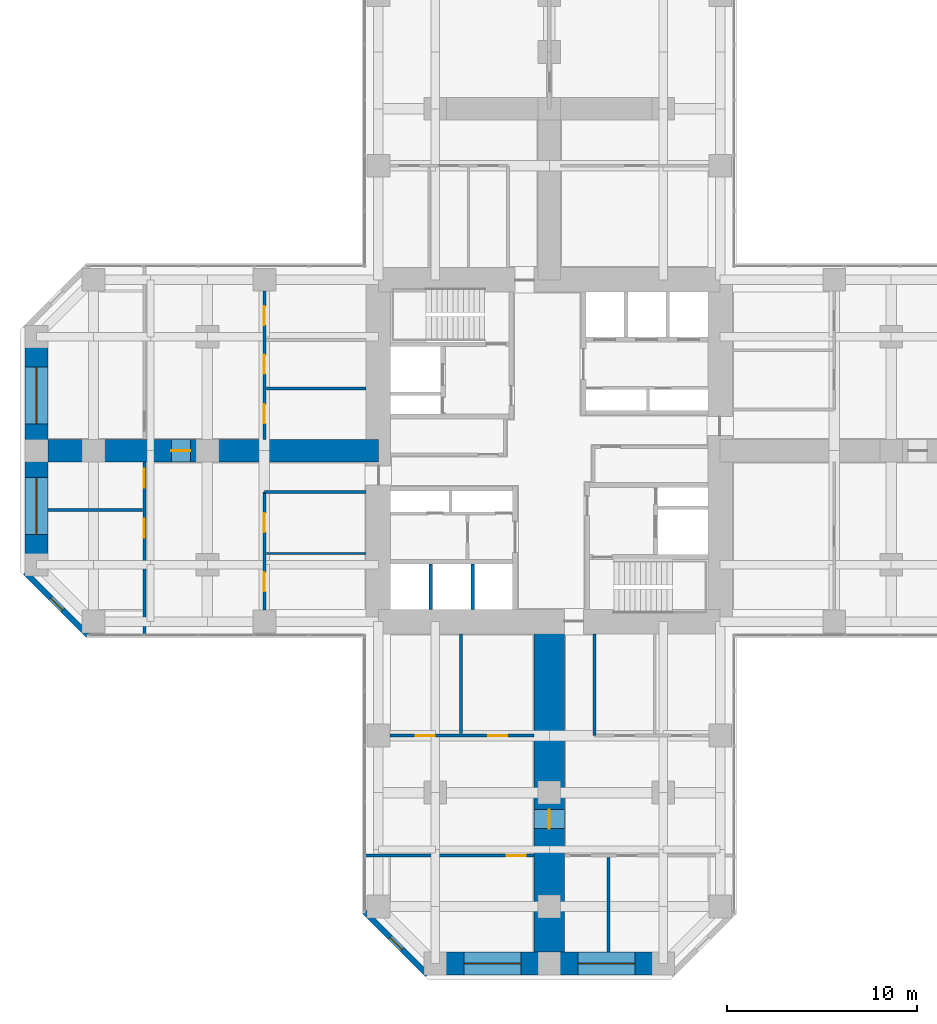
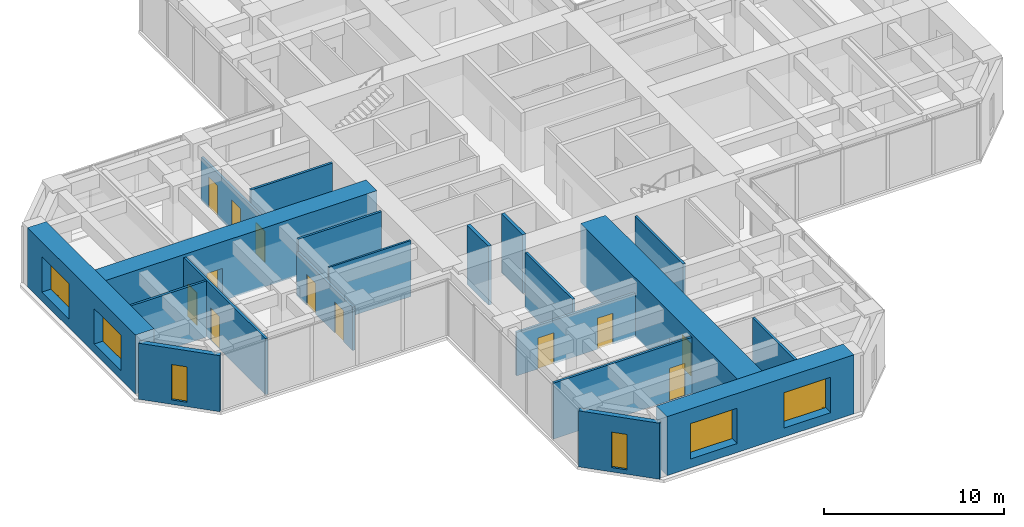
# One storey, part 8 of 13: 20 walls, 12 doors, 6 windows, 18 openings.
"""IFC4 building model written with IfcOpenShell, lengths in metres."""

from ifc_helpers import new_model, si_unit, direction, frame, frame_2d, origin, place, context, subcontext, project, spatial, rectangle, hollow_rectangle, extrude, material, layer, layer_set, constituent, constituent_set, type_object, element, fill, save


model = new_model("IFC4")

# Units and contexts
model_context = context("Model", 3, precision=1e-05, world=origin(), true_north=direction((0.0, 1.0)))
body_context = subcontext(model_context, "Body", "Model", "MODEL_VIEW")
ifc_project = project(units=[si_unit("LENGTHUNIT", "METRE"), si_unit("AREAUNIT", "SQUARE_METRE"), si_unit("VOLUMEUNIT", "CUBIC_METRE"), si_unit("PLANEANGLEUNIT", "RADIAN"), si_unit("MASSUNIT", "GRAM", prefix="KILO")], contexts=[model_context])

# Site, building, storey
site_placement = place(None, origin())
site = spatial("IfcSite", under=ifc_project, at=site_placement, CompositionType="ELEMENT")
building_placement = place(site_placement, origin())
building = spatial("IfcBuilding", under=site, at=building_placement, Name="Torre Cruceta", CompositionType="ELEMENT")
storey_placement = place(building_placement, frame((0.0, 0.0, 47.5)))
storey = spatial("IfcBuildingStorey", under=building, at=storey_placement, Name="L11", CompositionType="ELEMENT", Elevation=47.5)

# Wall, opening, window
ifc_material_1 = material(Name="Concrete G30 (fck 30 MPa)", Category="concrete")
ifc_layer_1 = layer(ifc_material_1, 0.300048828125)
ifc_layer_set_1 = layer_set([ifc_layer_1], Name="Concrete G30 (fck 30 MPa)")
wall_type_1 = type_object("IfcWallType", Name="EXPOSED CONCRETE FACADE WALL 300", PredefinedType="SOLIDWALL", material=ifc_layer_set_1)
wall_1_placement = place(storey_placement, frame((-27.60009765625, -6.418212890625, 0.0), z_axis=(0.0, 0.0, 1.0), x_axis=(0.707106781187, -0.707106781187, 0.0)))
wall_1 = element("IfcWall", 1, at=wall_1_placement, inside=storey, type_object=wall_type_1, Name="EW1 facade wall L11 W chamfer 13", PredefinedType="SOLIDWALL", context=body_context, shape_type="SweptSolid", body=[
    extrude(rectangle(XDim=4.66943359375, YDim=0.300048828125, at=frame_2d((2.334716796875, 0.0))), origin(), (0.0, 0.0, 1.0), 3.800048828125),
])
opening_1_placement = place(wall_1_placement, frame((1.884765625, 0.0, 0.300048828125)))
opening_1 = element("IfcOpeningElement", 2, at=opening_1_placement, cuts=wall_1, Name="Opening WN5", PredefinedType="OPENING", context=body_context, shape_type="SweptSolid", body=[
    extrude(rectangle(XDim=0.89990234375, YDim=2.39990234375, at=frame_2d((0.449951171875, 1.199951171875))), frame((0.0, 0.159912109375, 0.0), z_axis=(0.0, -1.0, 0.0), x_axis=(1.0, 0.0, 0.0)), (0.0, 0.0, 1.0), 0.320068359375),
])
ifc_material_2 = material(Name="Aluminium window frame", Category="aluminium")
ifc_constituent_1 = constituent(ifc_material_2, Name="Frame")
ifc_material_3 = material(Name="Laminated insulating glass unit, low-iron clear", Category="glass")
ifc_constituent_2 = constituent(ifc_material_3, Name="Glazing")
ifc_constituent_set_1 = constituent_set(constituents=[ifc_constituent_1, ifc_constituent_2], Name="Aluminium window")
window_type_1 = type_object("IfcWindowType", Name="CHAMFER SLOT WINDOW 900X2400", PartitioningType="SINGLE_PANEL", PredefinedType="WINDOW", material=ifc_constituent_set_1)
window_1_placement = place(opening_1_placement, origin())
window_1 = element("IfcWindow", 3, at=window_1_placement, inside=storey, type_object=window_type_1, Name="WN5 L11 W 1", OverallHeight=2.39990234375, OverallWidth=0.89990234375, PartitioningType="SINGLE_PANEL", PredefinedType="WINDOW", context=body_context, shape_type="SweptSolid", body=[
    extrude(hollow_rectangle(XDim=0.89990234375, YDim=2.39990234375, WallThickness=0.06005859375, at=frame_2d((0.449951171875, 1.199951171875))), frame((0.0, 0.030029296875, 0.0), z_axis=(0.0, -1.0, 0.0), x_axis=(1.0, 0.0, 0.0)), (0.0, 0.0, 1.0), 0.06005859375),
    extrude(rectangle(XDim=0.77880859375, YDim=2.27880859375, at=frame_2d((0.449951171875, 1.199951171875))), frame((0.0, 0.030029296875, 0.0), z_axis=(0.0, -1.0, 0.0), x_axis=(1.0, 0.0, 0.0)), (0.0, 0.0, 1.0), 0.06005859375),
])
fill(opening_1, window_1)

wall_2_placement = place(storey_placement, frame((-9.719970703125, -24.29833984375, 0.0), z_axis=(0.0, 0.0, 1.0), x_axis=(0.707106781187, -0.707106781187, 0.0)))
wall_2 = element("IfcWall", 4, at=wall_2_placement, inside=storey, type_object=wall_type_1, Name="EW1 facade wall L11 S chamfer 16", PredefinedType="SOLIDWALL", context=body_context, shape_type="SweptSolid", body=[
    extrude(rectangle(XDim=4.66943359375, YDim=0.300048828125, at=frame_2d((2.334716796875, 0.0))), origin(), (0.0, 0.0, 1.0), 3.800048828125),
])
opening_2_placement = place(wall_2_placement, frame((1.884765625, 0.0, 0.300048828125)))
opening_2 = element("IfcOpeningElement", 5, at=opening_2_placement, cuts=wall_2, Name="Opening WN5", PredefinedType="OPENING", context=body_context, shape_type="SweptSolid", body=[
    extrude(rectangle(XDim=0.89990234375, YDim=2.39990234375, at=frame_2d((0.449951171875, 1.199951171875))), frame((0.0, 0.159912109375, 0.0), z_axis=(0.0, -1.0, 0.0), x_axis=(1.0, 0.0, 0.0)), (0.0, 0.0, 1.0), 0.320068359375),
])
window_2_placement = place(opening_2_placement, origin())
window_2 = element("IfcWindow", 6, at=window_2_placement, inside=storey, type_object=window_type_1, Name="WN5 L11 S 1", OverallHeight=2.39990234375, OverallWidth=0.89990234375, PartitioningType="SINGLE_PANEL", PredefinedType="WINDOW", context=body_context, shape_type="SweptSolid", body=[
    extrude(hollow_rectangle(XDim=0.89990234375, YDim=2.39990234375, WallThickness=0.06005859375, at=frame_2d((0.449951171875, 1.199951171875))), frame((0.0, 0.030029296875, 0.0), z_axis=(0.0, -1.0, 0.0), x_axis=(1.0, 0.0, 0.0)), (0.0, 0.0, 1.0), 0.06005859375),
    extrude(rectangle(XDim=0.77880859375, YDim=2.27880859375, at=frame_2d((0.449951171875, 1.199951171875))), frame((0.0, 0.030029296875, 0.0), z_axis=(0.0, -1.0, 0.0), x_axis=(1.0, 0.0, 0.0)), (0.0, 0.0, 1.0), 0.06005859375),
])
fill(opening_2, window_2)

# Walls
ifc_material_4 = material(Name="Concrete G35 (fck 35 MPa)", Category="concrete")
ifc_layer_2 = layer(ifc_material_4, 0.199951171875)
ifc_layer_set_2 = layer_set([ifc_layer_2], Name="Concrete G35 (fck 35 MPa)")
wall_type_2 = type_object("IfcWallType", Name="LIFT SHAFT WALL 200", PredefinedType="PARTITIONING", material=ifc_layer_set_2)
for number, where, z_axis, x_axis, name in (
    (7, (-4.033447265625, -5.97509765625, 0.0), (0.0, 0.0, 1.0), (0.0, -1.0, 0.0), "SW1 L11 SW-LS1"),
    (8, (-6.24169921875, -5.97509765625, 0.0), (0.0, 0.0, 1.0), (0.0, -1.0, 0.0), "SW1 L11 SW-LS2"),
):
    element("IfcWall", number, at=place(storey_placement, frame(where, z_axis=z_axis, x_axis=x_axis)), inside=storey, type_object=wall_type_2, Name=name, PredefinedType="PARTITIONING", context=body_context, shape_type="SweptSolid", body=[
        extrude(rectangle(XDim=2.375, YDim=0.199951171875, at=frame_2d((1.1875, 0.0))), origin(), (0.0, 0.0, 1.0), 4.0),
    ])

# Wall, openings, windows
ifc_material_5 = material(Name="Concrete G60 (fck 60 MPa)", Category="concrete")
ifc_layer_3 = layer(ifc_material_5, 1.199951171875)
ifc_layer_set_3 = layer_set([ifc_layer_3], Name="Concrete G60 (fck 60 MPa)")
wall_type_3 = type_object("IfcWallType", Name="NOSE WALL 1200 G60", PredefinedType="SHEAR", material=ifc_layer_set_3)
wall_3_placement = place(storey_placement, frame((-6.0, -27.0, 0.0), z_axis=(0.0, 0.0, 1.0), x_axis=(1.0, 0.0, 0.0)))
wall_3 = element("IfcWall", 9, at=wall_3_placement, inside=storey, type_object=wall_type_3, Name="NW1 nose wall L11 S", PredefinedType="SHEAR", context=body_context, shape_type="SweptSolid", body=[
    extrude(rectangle(XDim=12.0, YDim=1.199951171875, at=frame_2d((6.0, 0.0))), origin(), (0.0, 0.0, 1.0), 4.0),
])
opening_3_placement = place(wall_3_placement, frame((1.5, 0.0, 0.60009765625)))
opening_3 = element("IfcOpeningElement", 10, at=opening_3_placement, cuts=wall_3, Name="Opening WN6", PredefinedType="OPENING", context=body_context, shape_type="SweptSolid", body=[
    extrude(rectangle(XDim=3.0, YDim=2.39990234375, at=frame_2d((1.5, 1.199951171875))), frame((0.0, 0.60986328125, 0.0), z_axis=(0.0, -1.0, 0.0), x_axis=(1.0, 0.0, 0.0)), (0.0, 0.0, 1.0), 1.219970703125),
])
opening_4_placement = place(wall_3_placement, frame((7.5, 0.0, 0.60009765625)))
opening_4 = element("IfcOpeningElement", 11, at=opening_4_placement, cuts=wall_3, Name="Opening WN6", PredefinedType="OPENING", context=body_context, shape_type="SweptSolid", body=[
    extrude(rectangle(XDim=3.0, YDim=2.39990234375, at=frame_2d((1.5, 1.199951171875))), frame((0.0, 0.60986328125, 0.0), z_axis=(0.0, -1.0, 0.0), x_axis=(1.0, 0.0, 0.0)), (0.0, 0.0, 1.0), 1.219970703125),
])
ifc_material_6 = material(Name="Aluminium window frame", Category="aluminium")
ifc_constituent_3 = constituent(ifc_material_6, Name="Frame")
ifc_material_7 = material(Name="Laminated insulating glass unit, low-iron clear", Category="glass")
ifc_constituent_4 = constituent(ifc_material_7, Name="Glazing")
ifc_constituent_set_2 = constituent_set(constituents=[ifc_constituent_3, ifc_constituent_4], Name="Aluminium window")
window_type_2 = type_object("IfcWindowType", Name="NOSE WALL WINDOW 3000X2400", PartitioningType="SINGLE_PANEL", PredefinedType="WINDOW", material=ifc_constituent_set_2)
window_3_placement = place(opening_3_placement, origin())
window_3 = element("IfcWindow", 12, at=window_3_placement, inside=storey, type_object=window_type_2, Name="WN6 L11 S 1", OverallHeight=2.39990234375, OverallWidth=3.0, PartitioningType="SINGLE_PANEL", PredefinedType="WINDOW", context=body_context, shape_type="SweptSolid", body=[
    extrude(hollow_rectangle(XDim=3.0, YDim=2.39990234375, WallThickness=0.06005859375, at=frame_2d((1.5, 1.199951171875))), frame((0.0, 0.030029296875, 0.0), z_axis=(0.0, -1.0, 0.0), x_axis=(1.0, 0.0, 0.0)), (0.0, 0.0, 1.0), 0.06005859375),
    extrude(rectangle(XDim=2.87890625, YDim=2.27880859375, at=frame_2d((1.5, 1.199951171875))), frame((0.0, 0.030029296875, 0.0), z_axis=(0.0, -1.0, 0.0), x_axis=(1.0, 0.0, 0.0)), (0.0, 0.0, 1.0), 0.06005859375),
])
fill(opening_3, window_3)
window_4_placement = place(opening_4_placement, origin())
window_4 = element("IfcWindow", 13, at=window_4_placement, inside=storey, type_object=window_type_2, Name="WN6 L11 S 2", OverallHeight=2.39990234375, OverallWidth=3.0, PartitioningType="SINGLE_PANEL", PredefinedType="WINDOW", context=body_context, shape_type="SweptSolid", body=[
    extrude(hollow_rectangle(XDim=3.0, YDim=2.39990234375, WallThickness=0.06005859375, at=frame_2d((1.5, 1.199951171875))), frame((0.0, 0.030029296875, 0.0), z_axis=(0.0, -1.0, 0.0), x_axis=(1.0, 0.0, 0.0)), (0.0, 0.0, 1.0), 0.06005859375),
    extrude(rectangle(XDim=2.87890625, YDim=2.27880859375, at=frame_2d((1.5, 1.199951171875))), frame((0.0, 0.030029296875, 0.0), z_axis=(0.0, -1.0, 0.0), x_axis=(1.0, 0.0, 0.0)), (0.0, 0.0, 1.0), 0.06005859375),
])
fill(opening_4, window_4)

wall_4_placement = place(storey_placement, frame((-27.0, 6.0, 0.0), z_axis=(0.0, 0.0, 1.0), x_axis=(0.0, -1.0, 0.0)))
wall_4 = element("IfcWall", 14, at=wall_4_placement, inside=storey, type_object=wall_type_3, Name="NW1 nose wall L11 W", PredefinedType="SHEAR", context=body_context, shape_type="SweptSolid", body=[
    extrude(rectangle(XDim=12.0, YDim=1.199951171875, at=frame_2d((6.0, 0.0))), origin(), (0.0, 0.0, 1.0), 4.0),
])
opening_5_placement = place(wall_4_placement, frame((1.60009765625, 0.0, 0.60009765625)))
opening_5 = element("IfcOpeningElement", 15, at=opening_5_placement, cuts=wall_4, Name="Opening WN6", PredefinedType="OPENING", context=body_context, shape_type="SweptSolid", body=[
    extrude(rectangle(XDim=3.0, YDim=2.39990234375, at=frame_2d((1.5, 1.199951171875))), frame((0.0, 0.60986328125, 0.0), z_axis=(0.0, -1.0, 0.0), x_axis=(1.0, 0.0, 0.0)), (0.0, 0.0, 1.0), 1.219970703125),
])
opening_6_placement = place(wall_4_placement, frame((7.39990234375, 0.0, 0.60009765625)))
opening_6 = element("IfcOpeningElement", 16, at=opening_6_placement, cuts=wall_4, Name="Opening WN6", PredefinedType="OPENING", context=body_context, shape_type="SweptSolid", body=[
    extrude(rectangle(XDim=3.0, YDim=2.39990234375, at=frame_2d((1.5, 1.199951171875))), frame((0.0, 0.60986328125, 0.0), z_axis=(0.0, -1.0, 0.0), x_axis=(1.0, 0.0, 0.0)), (0.0, 0.0, 1.0), 1.219970703125),
])
window_5_placement = place(opening_5_placement, origin())
window_5 = element("IfcWindow", 17, at=window_5_placement, inside=storey, type_object=window_type_2, Name="WN6 L11 W 1", OverallHeight=2.39990234375, OverallWidth=3.0, PartitioningType="SINGLE_PANEL", PredefinedType="WINDOW", context=body_context, shape_type="SweptSolid", body=[
    extrude(hollow_rectangle(XDim=3.0, YDim=2.39990234375, WallThickness=0.06005859375, at=frame_2d((1.5, 1.199951171875))), frame((0.0, 0.030029296875, 0.0), z_axis=(0.0, -1.0, 0.0), x_axis=(1.0, 0.0, 0.0)), (0.0, 0.0, 1.0), 0.06005859375),
    extrude(rectangle(XDim=2.87890625, YDim=2.27880859375, at=frame_2d((1.5, 1.199951171875))), frame((0.0, 0.030029296875, 0.0), z_axis=(0.0, -1.0, 0.0), x_axis=(1.0, 0.0, 0.0)), (0.0, 0.0, 1.0), 0.06005859375),
])
fill(opening_5, window_5)
window_6_placement = place(opening_6_placement, origin())
window_6 = element("IfcWindow", 18, at=window_6_placement, inside=storey, type_object=window_type_2, Name="WN6 L11 W 2", OverallHeight=2.39990234375, OverallWidth=3.0, PartitioningType="SINGLE_PANEL", PredefinedType="WINDOW", context=body_context, shape_type="SweptSolid", body=[
    extrude(hollow_rectangle(XDim=3.0, YDim=2.39990234375, WallThickness=0.06005859375, at=frame_2d((1.5, 1.199951171875))), frame((0.0, 0.030029296875, 0.0), z_axis=(0.0, -1.0, 0.0), x_axis=(1.0, 0.0, 0.0)), (0.0, 0.0, 1.0), 0.06005859375),
    extrude(rectangle(XDim=2.87890625, YDim=2.27880859375, at=frame_2d((1.5, 1.199951171875))), frame((0.0, 0.030029296875, 0.0), z_axis=(0.0, -1.0, 0.0), x_axis=(1.0, 0.0, 0.0)), (0.0, 0.0, 1.0), 0.06005859375),
])
fill(opening_6, window_6)

# Wall
ifc_material_8 = material(Name="Plasterboard on steel studs", Category="steel")
ifc_layer_4 = layer(ifc_material_8, 0.14990234375)
ifc_layer_set_4 = layer_set([ifc_layer_4], Name="Plasterboard on steel studs")
wall_type_4 = type_object("IfcWallType", Name="PARTITION 150", PredefinedType="PARTITIONING", material=ifc_layer_set_4)
wall_5_placement = place(storey_placement, frame((2.375, -9.64990234375, 0.0), z_axis=(0.0, 0.0, 1.0), x_axis=(0.0, -1.0, 0.0)))
element("IfcWall", 19, at=wall_5_placement, inside=storey, type_object=wall_type_4, Name="PT1 L11-S-BSL", PredefinedType="PARTITIONING", context=body_context, shape_type="SweptSolid", body=[
    extrude(rectangle(XDim=5.35009765625, YDim=0.14990234375, at=frame_2d((2.675048828125, 0.0))), origin(), (0.0, 0.0, 1.0), 3.800048828125),
])

# Wall, openings, doors
wall_6_placement = place(storey_placement, frame((-8.39990234375, -15.0, 0.0), z_axis=(0.0, 0.0, 1.0), x_axis=(1.0, 0.0, 0.0)))
wall_6 = element("IfcWall", 20, at=wall_6_placement, inside=storey, type_object=wall_type_4, Name="PT1 L11-S-BFR", PredefinedType="PARTITIONING", context=body_context, shape_type="SweptSolid", body=[
    extrude(rectangle(XDim=7.599853515625, YDim=0.14990234375, at=frame_2d((3.7998046875, 0.0))), origin(), (0.0, 0.0, 1.0), 2.949951171875),
])
opening_7_placement = place(wall_6_placement, frame((1.375, 0.0, 0.0)))
opening_7 = element("IfcOpeningElement", 21, at=opening_7_placement, cuts=wall_6, Name="Opening D3", PredefinedType="OPENING", context=body_context, shape_type="SweptSolid", body=[
    extrude(rectangle(XDim=1.0, YDim=2.10009765625, at=frame_2d((0.5, 1.050048828125))), frame((0.0, 0.0849609375, 0.0), z_axis=(0.0, -1.0, 0.0), x_axis=(1.0, 0.0, 0.0)), (0.0, 0.0, 1.0), 0.169921875),
])
opening_8_placement = place(wall_6_placement, frame((5.175048828125, 0.0, 0.0)))
opening_8 = element("IfcOpeningElement", 22, at=opening_8_placement, cuts=wall_6, Name="Opening D3", PredefinedType="OPENING", context=body_context, shape_type="SweptSolid", body=[
    extrude(rectangle(XDim=1.0, YDim=2.10009765625, at=frame_2d((0.5, 1.050048828125))), frame((0.0, 0.0849609375, 0.0), z_axis=(0.0, -1.0, 0.0), x_axis=(1.0, 0.0, 0.0)), (0.0, 0.0, 1.0), 0.169921875),
])
ifc_material_9 = material(Name="Steel DX51D", Category="steel")
ifc_constituent_5 = constituent(ifc_material_9, Name="Leaf and frame")
ifc_material_10 = material(Name="Polyester powder coating", Category="paint")
ifc_constituent_6 = constituent(ifc_material_10, Name="Finish")
ifc_constituent_set_3 = constituent_set(constituents=[ifc_constituent_5, ifc_constituent_6], Name="Steel fire door")
door_type_1 = type_object("IfcDoorType", Name="FIRE DOOR 1000X2100", OperationType="SINGLE_SWING_LEFT", PredefinedType="DOOR", material=ifc_constituent_set_3)
door_1_placement = place(opening_7_placement, origin())
door_1 = element("IfcDoor", 23, at=door_1_placement, inside=storey, type_object=door_type_1, Name="D3 L11-S-BFR-D1", OperationType="SINGLE_SWING_RIGHT", OverallHeight=2.10009765625, OverallWidth=1.0, PredefinedType="DOOR", context=body_context, shape_type="SweptSolid", body=[
    extrude(rectangle(XDim=1.0, YDim=2.10009765625, at=frame_2d((0.5, 1.050048828125))), frame((0.0, 0.02490234375, 0.0), z_axis=(0.0, -1.0, 0.0), x_axis=(1.0, 0.0, 0.0)), (0.0, 0.0, 1.0), 0.050048828125),
])
fill(opening_7, door_1)
door_2_placement = place(opening_8_placement, origin())
door_2 = element("IfcDoor", 24, at=door_2_placement, inside=storey, type_object=door_type_1, Name="D3 L11-S-BFR-D2", OperationType="SINGLE_SWING_LEFT", OverallHeight=2.10009765625, OverallWidth=1.0, PredefinedType="DOOR", context=body_context, shape_type="SweptSolid", body=[
    extrude(rectangle(XDim=1.0, YDim=2.10009765625, at=frame_2d((0.5, 1.050048828125))), frame((0.0, 0.02490234375, 0.0), z_axis=(0.0, -1.0, 0.0), x_axis=(1.0, 0.0, 0.0)), (0.0, 0.0, 1.0), 0.050048828125),
])
fill(opening_8, door_2)

# Walls
wall_7_placement = place(storey_placement, frame((-4.64990234375, -9.64990234375, 0.0), z_axis=(0.0, 0.0, 1.0), x_axis=(0.0, -1.0, 0.0)))
element("IfcWall", 25, at=wall_7_placement, inside=storey, type_object=wall_type_4, Name="PT1 L11-S-BDR1", PredefinedType="PARTITIONING", context=body_context, shape_type="SweptSolid", body=[
    extrude(rectangle(XDim=5.25, YDim=0.14990234375, at=frame_2d((2.625, 0.0))), origin(), (0.0, 0.0, 1.0), 3.800048828125),
])
wall_8_placement = place(storey_placement, frame((3.117919921875, -21.419921875, 0.0), z_axis=(0.0, 0.0, 1.0), x_axis=(0.0, -1.0, 0.0)))
element("IfcWall", 26, at=wall_8_placement, inside=storey, type_object=wall_type_4, Name="PT1 L11-S-TDL", PredefinedType="PARTITIONING", context=body_context, shape_type="SweptSolid", body=[
    extrude(rectangle(XDim=4.97998046875, YDim=0.14990234375, at=frame_2d((2.489990234375, 0.0))), origin(), (0.0, 0.0, 1.0), 3.800048828125),
])

# Wall, opening, door
wall_9_placement = place(storey_placement, frame((-9.679931640625, -21.320068359375, 0.0), z_axis=(0.0, 0.0, 1.0), x_axis=(1.0, 0.0, 0.0)))
wall_9 = element("IfcWall", 27, at=wall_9_placement, inside=storey, type_object=wall_type_4, Name="PT1 L11-S-TWR", PredefinedType="PARTITIONING", context=body_context, shape_type="SweptSolid", body=[
    extrude(rectangle(XDim=8.8798828125, YDim=0.14990234375, at=frame_2d((4.43994140625, 0.0))), origin(), (0.0, 0.0, 1.0), 3.800048828125),
])
opening_9_placement = place(wall_9_placement, frame((7.429931640625, 0.0, 0.0)))
opening_9 = element("IfcOpeningElement", 28, at=opening_9_placement, cuts=wall_9, Name="Opening D14", PredefinedType="OPENING", context=body_context, shape_type="SweptSolid", body=[
    extrude(rectangle(XDim=1.0, YDim=2.199951171875, at=frame_2d((0.5, 1.10009765625))), frame((0.0, 0.0849609375, 0.0), z_axis=(0.0, -1.0, 0.0), x_axis=(1.0, 0.0, 0.0)), (0.0, 0.0, 1.0), 0.169921875),
])
ifc_material_11 = material(Name="Steel DX51D", Category="steel")
ifc_constituent_7 = constituent(ifc_material_11, Name="Leaf and frame")
ifc_material_12 = material(Name="Polyester powder coating", Category="paint")
ifc_constituent_8 = constituent(ifc_material_12, Name="Finish")
ifc_material_13 = material(Name="Fire-resisting glass", Category="glass")
ifc_constituent_9 = constituent(ifc_material_13, Name="Vision panel")
ifc_constituent_set_4 = constituent_set(constituents=[ifc_constituent_7, ifc_constituent_8, ifc_constituent_9], Name="Steel fire door with vision panel")
door_type_2 = type_object("IfcDoorType", Name="FIRE DOOR VISION PANEL 1000X2200", OperationType="SINGLE_SWING_RIGHT", PredefinedType="DOOR", material=ifc_constituent_set_4)
door_3_placement = place(opening_9_placement, frame((1.0, 0.0, 0.0), z_axis=(0.0, 0.0, 1.0), x_axis=(-1.0, 0.0, 0.0)))
door_3 = element("IfcDoor", 29, at=door_3_placement, inside=storey, type_object=door_type_2, Name="D14 L11-S-TWR-D1", OperationType="SINGLE_SWING_LEFT", OverallHeight=2.199951171875, OverallWidth=1.0, PredefinedType="DOOR", context=body_context, shape_type="SweptSolid", body=[
    extrude(rectangle(XDim=1.0, YDim=2.199951171875, at=frame_2d((0.5, 1.10009765625))), frame((0.0, 0.025146484375, 0.0), z_axis=(0.0, -1.0, 0.0), x_axis=(1.0, 0.0, 0.0)), (0.0, 0.0, 1.0), 0.050048828125),
])
fill(opening_9, door_3)

# Wall, openings, doors
wall_10_placement = place(storey_placement, frame((-15.0, -2.175048828125, 0.0), z_axis=(0.0, 0.0, 1.0), x_axis=(0.0, -1.0, 0.0)))
wall_10 = element("IfcWall", 30, at=wall_10_placement, inside=storey, type_object=wall_type_4, Name="PT1 L11-W-BFL", PredefinedType="PARTITIONING", context=body_context, shape_type="SweptSolid", body=[
    extrude(rectangle(XDim=6.224853515625, YDim=0.14990234375, at=frame_2d((3.1123046875, 0.0))), origin(), (0.0, 0.0, 1.0), 2.949951171875),
])
opening_10_placement = place(wall_10_placement, frame((1.118408203125, 0.0, 0.0)))
opening_10 = element("IfcOpeningElement", 31, at=opening_10_placement, cuts=wall_10, Name="Opening D3", PredefinedType="OPENING", context=body_context, shape_type="SweptSolid", body=[
    extrude(rectangle(XDim=1.0, YDim=2.10009765625, at=frame_2d((0.5, 1.050048828125))), frame((0.0, 0.0849609375, 0.0), z_axis=(0.0, -1.0, 0.0), x_axis=(1.0, 0.0, 0.0)), (0.0, 0.0, 1.0), 0.169921875),
])
opening_11_placement = place(wall_10_placement, frame((4.23095703125, 0.0, 0.0)))
opening_11 = element("IfcOpeningElement", 32, at=opening_11_placement, cuts=wall_10, Name="Opening D3", PredefinedType="OPENING", context=body_context, shape_type="SweptSolid", body=[
    extrude(rectangle(XDim=1.0, YDim=2.10009765625, at=frame_2d((0.5, 1.050048828125))), frame((0.0, 0.0849609375, 0.0), z_axis=(0.0, -1.0, 0.0), x_axis=(1.0, 0.0, 0.0)), (0.0, 0.0, 1.0), 0.169921875),
])
door_4_placement = place(opening_10_placement, origin())
door_4 = element("IfcDoor", 33, at=door_4_placement, inside=storey, type_object=door_type_1, Name="D3 L11-W-BFL-D1", OperationType="SINGLE_SWING_LEFT", OverallHeight=2.10009765625, OverallWidth=1.0, PredefinedType="DOOR", context=body_context, shape_type="SweptSolid", body=[
    extrude(rectangle(XDim=1.0, YDim=2.10009765625, at=frame_2d((0.5, 1.050048828125))), frame((0.0, 0.02490234375, 0.0), z_axis=(0.0, -1.0, 0.0), x_axis=(1.0, 0.0, 0.0)), (0.0, 0.0, 1.0), 0.050048828125),
])
fill(opening_10, door_4)
door_5_placement = place(opening_11_placement, origin())
door_5 = element("IfcDoor", 34, at=door_5_placement, inside=storey, type_object=door_type_1, Name="D3 L11-W-BFL-D2", OperationType="SINGLE_SWING_LEFT", OverallHeight=2.10009765625, OverallWidth=1.0, PredefinedType="DOOR", context=body_context, shape_type="SweptSolid", body=[
    extrude(rectangle(XDim=1.0, YDim=2.10009765625, at=frame_2d((0.5, 1.050048828125))), frame((0.0, 0.02490234375, 0.0), z_axis=(0.0, -1.0, 0.0), x_axis=(1.0, 0.0, 0.0)), (0.0, 0.0, 1.0), 0.050048828125),
])
fill(opening_11, door_5)

# Wall
wall_11_placement = place(storey_placement, frame((-9.64990234375, -2.175048828125, 0.0), z_axis=(0.0, 0.0, 1.0), x_axis=(-1.0, 0.0, 0.0)))
element("IfcWall", 35, at=wall_11_placement, inside=storey, type_object=wall_type_4, Name="PT1 L11-W-BSL", PredefinedType="PARTITIONING", context=body_context, shape_type="SweptSolid", body=[
    extrude(rectangle(XDim=5.35009765625, YDim=0.14990234375, at=frame_2d((2.675048828125, 0.0))), origin(), (0.0, 0.0, 1.0), 3.800048828125),
])

# Wall, openings, doors
wall_12_placement = place(storey_placement, frame((-15.0, 8.39990234375, 0.0), z_axis=(0.0, 0.0, 1.0), x_axis=(0.0, -1.0, 0.0)))
wall_12 = element("IfcWall", 36, at=wall_12_placement, inside=storey, type_object=wall_type_4, Name="PT1 L11-W-BFR", PredefinedType="PARTITIONING", context=body_context, shape_type="SweptSolid", body=[
    extrude(rectangle(XDim=7.7998046875, YDim=0.14990234375, at=frame_2d((3.89990234375, 0.0))), origin(), (0.0, 0.0, 1.0), 2.949951171875),
])
opening_12_placement = place(wall_12_placement, frame((0.783203125, 0.0, 0.0)))
opening_12 = element("IfcOpeningElement", 37, at=opening_12_placement, cuts=wall_12, Name="Opening D3", PredefinedType="OPENING", context=body_context, shape_type="SweptSolid", body=[
    extrude(rectangle(XDim=1.0, YDim=2.10009765625, at=frame_2d((0.5, 1.050048828125))), frame((0.0, 0.0849609375, 0.0), z_axis=(0.0, -1.0, 0.0), x_axis=(1.0, 0.0, 0.0)), (0.0, 0.0, 1.0), 0.169921875),
])
opening_13_placement = place(wall_12_placement, frame((3.35009765625, 0.0, 0.0)))
opening_13 = element("IfcOpeningElement", 38, at=opening_13_placement, cuts=wall_12, Name="Opening D3", PredefinedType="OPENING", context=body_context, shape_type="SweptSolid", body=[
    extrude(rectangle(XDim=1.0, YDim=2.10009765625, at=frame_2d((0.5, 1.050048828125))), frame((0.0, 0.0849609375, 0.0), z_axis=(0.0, -1.0, 0.0), x_axis=(1.0, 0.0, 0.0)), (0.0, 0.0, 1.0), 0.169921875),
])
opening_14_placement = place(wall_12_placement, frame((5.966796875, 0.0, 0.0)))
opening_14 = element("IfcOpeningElement", 39, at=opening_14_placement, cuts=wall_12, Name="Opening D3", PredefinedType="OPENING", context=body_context, shape_type="SweptSolid", body=[
    extrude(rectangle(XDim=1.0, YDim=2.10009765625, at=frame_2d((0.5, 1.050048828125))), frame((0.0, 0.0849609375, 0.0), z_axis=(0.0, -1.0, 0.0), x_axis=(1.0, 0.0, 0.0)), (0.0, 0.0, 1.0), 0.169921875),
])
door_6_placement = place(opening_12_placement, origin())
door_6 = element("IfcDoor", 40, at=door_6_placement, inside=storey, type_object=door_type_1, Name="D3 L11-W-BFR-D1", OperationType="SINGLE_SWING_RIGHT", OverallHeight=2.10009765625, OverallWidth=1.0, PredefinedType="DOOR", context=body_context, shape_type="SweptSolid", body=[
    extrude(rectangle(XDim=1.0, YDim=2.10009765625, at=frame_2d((0.5, 1.050048828125))), frame((0.0, 0.02490234375, 0.0), z_axis=(0.0, -1.0, 0.0), x_axis=(1.0, 0.0, 0.0)), (0.0, 0.0, 1.0), 0.050048828125),
])
fill(opening_12, door_6)
door_7_placement = place(opening_13_placement, origin())
door_7 = element("IfcDoor", 41, at=door_7_placement, inside=storey, type_object=door_type_1, Name="D3 L11-W-BFR-D2", OperationType="SINGLE_SWING_LEFT", OverallHeight=2.10009765625, OverallWidth=1.0, PredefinedType="DOOR", context=body_context, shape_type="SweptSolid", body=[
    extrude(rectangle(XDim=1.0, YDim=2.10009765625, at=frame_2d((0.5, 1.050048828125))), frame((0.0, 0.02490234375, 0.0), z_axis=(0.0, -1.0, 0.0), x_axis=(1.0, 0.0, 0.0)), (0.0, 0.0, 1.0), 0.050048828125),
])
fill(opening_13, door_7)
door_8_placement = place(opening_14_placement, origin())
door_8 = element("IfcDoor", 42, at=door_8_placement, inside=storey, type_object=door_type_1, Name="D3 L11-W-BFR-D3", OperationType="SINGLE_SWING_LEFT", OverallHeight=2.10009765625, OverallWidth=1.0, PredefinedType="DOOR", context=body_context, shape_type="SweptSolid", body=[
    extrude(rectangle(XDim=1.0, YDim=2.10009765625, at=frame_2d((0.5, 1.050048828125))), frame((0.0, 0.02490234375, 0.0), z_axis=(0.0, -1.0, 0.0), x_axis=(1.0, 0.0, 0.0)), (0.0, 0.0, 1.0), 0.050048828125),
])
fill(opening_14, door_8)

# Walls
wall_13_placement = place(storey_placement, frame((-9.64990234375, 3.2666015625, 0.0), z_axis=(0.0, 0.0, 1.0), x_axis=(-1.0, 0.0, 0.0)))
element("IfcWall", 43, at=wall_13_placement, inside=storey, type_object=wall_type_4, Name="PT1 L11-W-BDR1", PredefinedType="PARTITIONING", context=body_context, shape_type="SweptSolid", body=[
    extrude(rectangle(XDim=5.25, YDim=0.14990234375, at=frame_2d((2.625, 0.0))), origin(), (0.0, 0.0, 1.0), 3.800048828125),
])
wall_14_placement = place(storey_placement, frame((-21.419921875, -3.117919921875, 0.0), z_axis=(0.0, 0.0, 1.0), x_axis=(-1.0, 0.0, 0.0)))
element("IfcWall", 44, at=wall_14_placement, inside=storey, type_object=wall_type_4, Name="PT1 L11-W-TDL", PredefinedType="PARTITIONING", context=body_context, shape_type="SweptSolid", body=[
    extrude(rectangle(XDim=4.97998046875, YDim=0.14990234375, at=frame_2d((2.489990234375, 0.0))), origin(), (0.0, 0.0, 1.0), 3.800048828125),
])

# Wall, openings, doors
wall_15_placement = place(storey_placement, frame((-21.320068359375, -0.60009765625, 0.0), z_axis=(0.0, 0.0, 1.0), x_axis=(0.0, -1.0, 0.0)))
wall_15 = element("IfcWall", 45, at=wall_15_placement, inside=storey, type_object=wall_type_4, Name="PT1 L11-W-TWL", PredefinedType="PARTITIONING", context=body_context, shape_type="SweptSolid", body=[
    extrude(rectangle(XDim=9.079833984375, YDim=0.14990234375, at=frame_2d((4.5400390625, 0.0))), origin(), (0.0, 0.0, 1.0), 3.800048828125),
])
opening_15_placement = place(wall_15_placement, frame((0.35009765625, 0.0, 0.0)))
opening_15 = element("IfcOpeningElement", 46, at=opening_15_placement, cuts=wall_15, Name="Opening D14", PredefinedType="OPENING", context=body_context, shape_type="SweptSolid", body=[
    extrude(rectangle(XDim=1.0, YDim=2.199951171875, at=frame_2d((0.5, 1.10009765625))), frame((0.0, 0.0849609375, 0.0), z_axis=(0.0, -1.0, 0.0), x_axis=(1.0, 0.0, 0.0)), (0.0, 0.0, 1.0), 0.169921875),
])
opening_16_placement = place(wall_15_placement, frame((2.992919921875, 0.0, 0.0)))
opening_16 = element("IfcOpeningElement", 47, at=opening_16_placement, cuts=wall_15, Name="Opening D14", PredefinedType="OPENING", context=body_context, shape_type="SweptSolid", body=[
    extrude(rectangle(XDim=1.0, YDim=2.199951171875, at=frame_2d((0.5, 1.10009765625))), frame((0.0, 0.0849609375, 0.0), z_axis=(0.0, -1.0, 0.0), x_axis=(1.0, 0.0, 0.0)), (0.0, 0.0, 1.0), 0.169921875),
])
door_9_placement = place(opening_15_placement, frame((1.0, 0.0, 0.0), z_axis=(0.0, 0.0, 1.0), x_axis=(-1.0, 0.0, 0.0)))
door_9 = element("IfcDoor", 48, at=door_9_placement, inside=storey, type_object=door_type_2, Name="D14 L11-W-TWL-D1", OperationType="SINGLE_SWING_RIGHT", OverallHeight=2.199951171875, OverallWidth=1.0, PredefinedType="DOOR", context=body_context, shape_type="SweptSolid", body=[
    extrude(rectangle(XDim=1.0, YDim=2.199951171875, at=frame_2d((0.5, 1.10009765625))), frame((0.0, 0.025146484375, 0.0), z_axis=(0.0, -1.0, 0.0), x_axis=(1.0, 0.0, 0.0)), (0.0, 0.0, 1.0), 0.050048828125),
])
fill(opening_15, door_9)
door_10_placement = place(opening_16_placement, frame((1.0, 0.0, 0.0), z_axis=(0.0, 0.0, 1.0), x_axis=(-1.0, 0.0, 0.0)))
door_10 = element("IfcDoor", 49, at=door_10_placement, inside=storey, type_object=door_type_2, Name="D14 L11-W-TWL-D2", OperationType="SINGLE_SWING_RIGHT", OverallHeight=2.199951171875, OverallWidth=1.0, PredefinedType="DOOR", context=body_context, shape_type="SweptSolid", body=[
    extrude(rectangle(XDim=1.0, YDim=2.199951171875, at=frame_2d((0.5, 1.10009765625))), frame((0.0, 0.025146484375, 0.0), z_axis=(0.0, -1.0, 0.0), x_axis=(1.0, 0.0, 0.0)), (0.0, 0.0, 1.0), 0.050048828125),
])
fill(opening_16, door_10)

# Wall, opening, door
ifc_material_14 = material(Name="Concrete G60 (fck 60 MPa)", Category="concrete")
ifc_layer_5 = layer(ifc_material_14, 1.199951171875)
ifc_layer_set_5 = layer_set([ifc_layer_5], Name="Concrete G60 (fck 60 MPa)")
wall_type_5 = type_object("IfcWallType", Name="SPINE WALL 1200 G60", PredefinedType="SHEAR", material=ifc_layer_set_5)
wall_16_placement = place(storey_placement, frame((-9.0, 0.0, 0.0), z_axis=(0.0, 0.0, 1.0), x_axis=(-1.0, 0.0, 0.0)))
wall_16 = element("IfcWall", 50, at=wall_16_placement, inside=storey, type_object=wall_type_5, Name="SW3 spine wall L11 W", PredefinedType="SHEAR", context=body_context, shape_type="SweptSolid", body=[
    extrude(rectangle(XDim=18.0, YDim=1.199951171875, at=frame_2d((9.0, 0.0))), origin(), (0.0, 0.0, 1.0), 4.0),
])
opening_17_placement = place(wall_16_placement, frame((9.89990234375, 0.0, 0.0)))
opening_17 = element("IfcOpeningElement", 51, at=opening_17_placement, cuts=wall_16, Name="Opening D14", PredefinedType="OPENING", context=body_context, shape_type="SweptSolid", body=[
    extrude(rectangle(XDim=1.0, YDim=2.199951171875, at=frame_2d((0.5, 1.10009765625))), frame((0.0, 0.60986328125, 0.0), z_axis=(0.0, -1.0, 0.0), x_axis=(1.0, 0.0, 0.0)), (0.0, 0.0, 1.0), 1.219970703125),
])
door_11_placement = place(opening_17_placement, frame((1.0, 0.0, 0.0), z_axis=(0.0, 0.0, 1.0), x_axis=(-1.0, 0.0, 0.0)))
door_11 = element("IfcDoor", 52, at=door_11_placement, inside=storey, type_object=door_type_2, Name="D14 L11-W-SP1", OperationType="SINGLE_SWING_LEFT", OverallHeight=2.199951171875, OverallWidth=1.0, PredefinedType="DOOR", context=body_context, shape_type="SweptSolid", body=[
    extrude(rectangle(XDim=1.0, YDim=2.199951171875, at=frame_2d((0.5, 1.10009765625))), frame((0.0, 0.025146484375, 0.0), z_axis=(0.0, -1.0, 0.0), x_axis=(1.0, 0.0, 0.0)), (0.0, 0.0, 1.0), 0.050048828125),
])
fill(opening_17, door_11)

ifc_material_15 = material(Name="Concrete G60 (fck 60 MPa)", Category="concrete")
ifc_layer_6 = layer(ifc_material_15, 1.60009765625)
ifc_layer_set_6 = layer_set([ifc_layer_6], Name="Concrete G60 (fck 60 MPa)")
wall_type_6 = type_object("IfcWallType", Name="SPINE WALL 1600 G60", PredefinedType="SHEAR", material=ifc_layer_set_6)
wall_17_placement = place(storey_placement, frame((0.0, -9.0, 0.0), z_axis=(0.0, 0.0, 1.0), x_axis=(0.0, -1.0, 0.0)))
wall_17 = element("IfcWall", 53, at=wall_17_placement, inside=storey, type_object=wall_type_6, Name="SW2 spine wall L11 S", PredefinedType="SHEAR", context=body_context, shape_type="SweptSolid", body=[
    extrude(rectangle(XDim=18.0, YDim=1.60009765625, at=frame_2d((9.0, 0.0))), origin(), (0.0, 0.0, 1.0), 4.0),
])
opening_18_placement = place(wall_17_placement, frame((9.89990234375, 0.0, 0.0)))
opening_18 = element("IfcOpeningElement", 54, at=opening_18_placement, cuts=wall_17, Name="Opening D14", PredefinedType="OPENING", context=body_context, shape_type="SweptSolid", body=[
    extrude(rectangle(XDim=1.0, YDim=2.199951171875, at=frame_2d((0.5, 1.10009765625))), frame((0.0, 0.81005859375, 0.0), z_axis=(0.0, -1.0, 0.0), x_axis=(1.0, 0.0, 0.0)), (0.0, 0.0, 1.0), 1.6201171875),
])
door_12_placement = place(opening_18_placement, frame((1.0, 0.0, 0.0), z_axis=(0.0, 0.0, 1.0), x_axis=(-1.0, 0.0, 0.0)))
door_12 = element("IfcDoor", 55, at=door_12_placement, inside=storey, type_object=door_type_2, Name="D14 L11-S-SP1", OperationType="SINGLE_SWING_LEFT", OverallHeight=2.199951171875, OverallWidth=1.0, PredefinedType="DOOR", context=body_context, shape_type="SweptSolid", body=[
    extrude(rectangle(XDim=1.0, YDim=2.199951171875, at=frame_2d((0.5, 1.10009765625))), frame((0.0, 0.025146484375, 0.0), z_axis=(0.0, -1.0, 0.0), x_axis=(1.0, 0.0, 0.0)), (0.0, 0.0, 1.0), 0.050048828125),
])
fill(opening_18, door_12)

# Wall
ifc_material_16 = material(Name="Plasterboard on steel studs", Category="steel")
ifc_layer_7 = layer(ifc_material_16, 0.1201171875)
ifc_layer_set_7 = layer_set([ifc_layer_7], Name="Plasterboard on steel studs")
wall_type_7 = type_object("IfcWallType", Name="WC PARTITION 120", PredefinedType="PLUMBINGWALL", material=ifc_layer_set_7)
wall_18_placement = place(storey_placement, frame((-9.64990234375, -5.412109375, 0.0), z_axis=(0.0, 0.0, 1.0), x_axis=(-1.0, 0.0, 0.0)))
element("IfcWall", 56, at=wall_18_placement, inside=storey, type_object=wall_type_7, Name="PT5 L11-W-BDL1", PredefinedType="PLUMBINGWALL", context=body_context, shape_type="SweptSolid", body=[
    extrude(rectangle(XDim=5.25, YDim=0.1201171875, at=frame_2d((2.625, 0.0))), origin(), (0.0, 0.0, 1.0), 3.800048828125),
])

save(model, "model.ifc")
